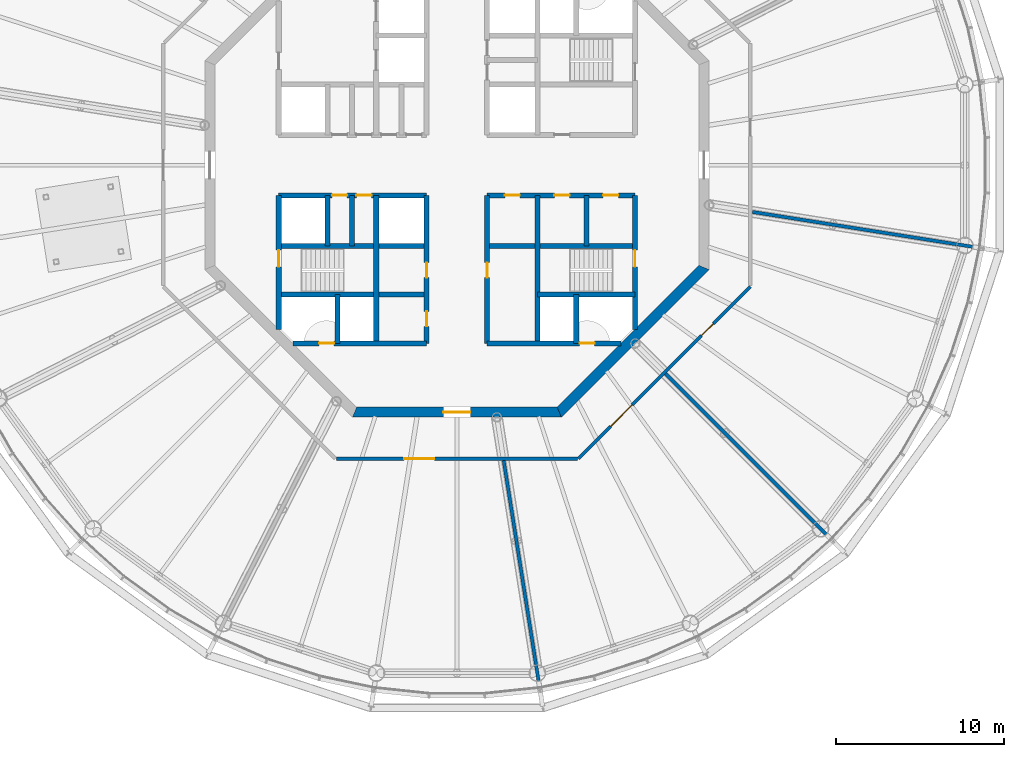
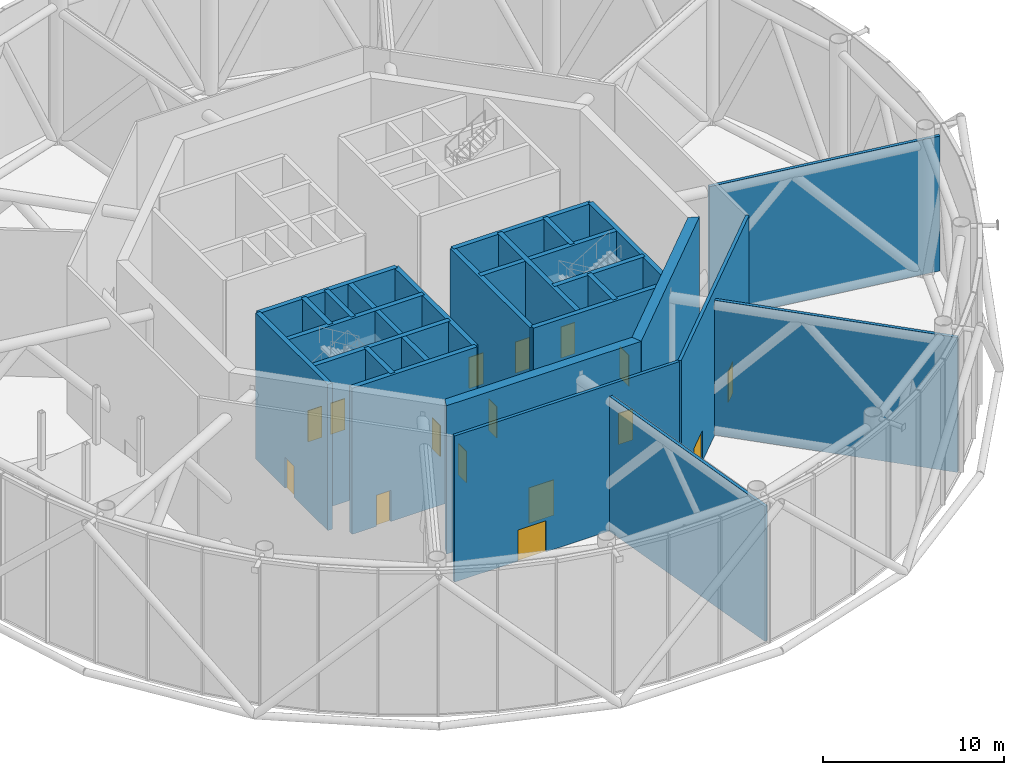
# One storey, part 6 of 23: 26 walls, 16 doors, 16 openings.
"""IFC4 building model written with IfcOpenShell, lengths in metres."""

from ifc_helpers import new_model, si_unit, direction, frame, frame_2d, origin, place, context, subcontext, project, spatial, polyline, rectangle, outline, extrude, material, layer, layer_set, type_object, element, fill, save


model = new_model("IFC4")

# Units and contexts
model_context = context("Model", 3, precision=1e-05, world=origin(), true_north=direction((0.0, 1.0)))
body_context = subcontext(model_context, "Body", "Model", "MODEL_VIEW")
ifc_project = project(units=[si_unit("LENGTHUNIT", "METRE"), si_unit("AREAUNIT", "SQUARE_METRE"), si_unit("VOLUMEUNIT", "CUBIC_METRE"), si_unit("PLANEANGLEUNIT", "RADIAN"), si_unit("MASSUNIT", "GRAM", prefix="KILO")], contexts=[model_context])

# Site, building, storey
site_placement = place(None, origin())
site = spatial("IfcSite", under=ifc_project, at=site_placement, CompositionType="ELEMENT")
building_placement = place(site_placement, origin())
building = spatial("IfcBuilding", under=site, at=building_placement, Name="Entoto Ring Tower", CompositionType="ELEMENT")
storey_placement = place(building_placement, frame((0.0, 0.0, 392.0)))
storey = spatial("IfcBuildingStorey", under=building, at=storey_placement, Name="L91", CompositionType="ELEMENT", Elevation=392.0)

# Wall, opening, door
ifc_material_1 = material(Name="Concrete C40/50", Category="concrete")
ifc_layer_1 = layer(ifc_material_1, 0.300048828125)
ifc_layer_set_1 = layer_set([ifc_layer_1], Name="Concrete C40/50")
wall_type_1 = type_object("IfcWallType", Name="Core enclosure wall 300 mm reinforced concrete", PredefinedType="SOLIDWALL", material=ifc_layer_set_1)
wall_1_placement = place(storey_placement, frame((100.60009765625, 70.2353515625, 0.0), z_axis=(0.0, 0.0, 1.0), x_axis=(0.0, 1.0, 0.0)))
wall_1 = element("IfcWall", 1, at=wall_1_placement, inside=storey, type_object=wall_type_1, Name="wall-L91-001", PredefinedType="SOLIDWALL", context=body_context, shape_type="SweptSolid", body=[
    extrude(rectangle(XDim=7.964599609375, YDim=0.300048828125, at=frame_2d((3.982421875, 0.0))), origin(), (0.0, 0.0, 1.0), 9.85009765625),
])
opening_1_placement = place(wall_1_placement, frame((3.714599609375, 0.0, 0.0)))
opening_1 = element("IfcOpeningElement", 2, at=opening_1_placement, cuts=wall_1, Name="Opening K-22", PredefinedType="OPENING", context=body_context, shape_type="SweptSolid", body=[
    extrude(rectangle(XDim=1.0, YDim=2.10009765625, at=frame_2d((0.5, 1.050048828125))), frame((0.0, 0.16015625, 0.0), z_axis=(0.0, -1.0, 0.0), x_axis=(1.0, 0.0, 0.0)), (0.0, 0.0, 1.0), 0.320068359375),
])
ifc_material_2 = material(Name="Steel door leaf, fire rated", Category="steel")
ifc_layer_2 = layer(ifc_material_2, 0.050048828125)
ifc_layer_set_2 = layer_set([ifc_layer_2], Name="Steel door leaf, fire rated")
door_type_1 = type_object("IfcDoorType", Name="Fire door FD60 1000 x 2100 single leaf", OperationType="NOTDEFINED", PredefinedType="DOOR", material=ifc_layer_set_2)
door_1_placement = place(opening_1_placement, origin())
door_1 = element("IfcDoor", 3, at=door_1_placement, inside=storey, type_object=door_type_1, Name="Door K-22", OperationType="SINGLE_SWING_RIGHT", OverallHeight=2.10009765625, OverallWidth=1.0, PredefinedType="DOOR", context=body_context, shape_type="SweptSolid", body=[
    extrude(rectangle(XDim=1.0, YDim=2.10009765625, at=frame_2d((0.5, 1.050048828125))), frame((0.0, 0.02490234375, 0.0), z_axis=(0.0, -1.0, 0.0), x_axis=(1.0, 0.0, 0.0)), (0.0, 0.0, 1.0), 0.050048828125),
])
fill(opening_1, door_1)

# Walls
wall_2_placement = place(storey_placement, frame((97.699951171875, 75.199951171875, 0.0), z_axis=(0.0, 0.0, 1.0), x_axis=(0.0, 1.0, 0.0)))
element("IfcWall", 4, at=wall_2_placement, inside=storey, type_object=wall_type_1, Name="wall-L91-003", PredefinedType="SOLIDWALL", context=body_context, shape_type="SweptSolid", body=[
    extrude(rectangle(XDim=3.0, YDim=0.300048828125, at=frame_2d((1.5, 0.0))), origin(), (0.0, 0.0, 1.0), 9.85009765625),
])
wall_3_placement = place(storey_placement, frame((97.10009765625, 69.39990234375, 0.0), z_axis=(0.0, 0.0, 1.0), x_axis=(0.0, 1.0, 0.0)))
element("IfcWall", 5, at=wall_3_placement, inside=storey, type_object=wall_type_1, Name="wall-L91-004", PredefinedType="SOLIDWALL", context=body_context, shape_type="SweptSolid", body=[
    extrude(rectangle(XDim=2.900146484375, YDim=0.300048828125, at=frame_2d((1.4501953125, 0.0))), origin(), (0.0, 0.0, 1.0), 9.85009765625),
])
wall_4_placement = place(storey_placement, frame((94.800048828125, 69.39990234375, 0.0), z_axis=(0.0, 0.0, 1.0), x_axis=(0.0, 1.0, 0.0)))
element("IfcWall", 6, at=wall_4_placement, inside=storey, type_object=wall_type_1, Name="wall-L91-006", PredefinedType="SOLIDWALL", context=body_context, shape_type="SweptSolid", body=[
    extrude(rectangle(XDim=8.800048828125, YDim=0.300048828125, at=frame_2d((4.39990234375, 0.0))), origin(), (0.0, 0.0, 1.0), 9.85009765625),
])

# Wall, opening, door
wall_5_placement = place(storey_placement, frame((91.800048828125, 69.39990234375, 0.0), z_axis=(0.0, 0.0, 1.0), x_axis=(0.0, 1.0, 0.0)))
wall_5 = element("IfcWall", 7, at=wall_5_placement, inside=storey, type_object=wall_type_1, Name="wall-L91-008", PredefinedType="SOLIDWALL", context=body_context, shape_type="SweptSolid", body=[
    extrude(rectangle(XDim=8.800048828125, YDim=0.300048828125, at=frame_2d((4.39990234375, 0.0))), origin(), (0.0, 0.0, 1.0), 9.85009765625),
])
opening_2_placement = place(wall_5_placement, frame((3.89990234375, 0.0, 0.0)))
opening_2 = element("IfcOpeningElement", 8, at=opening_2_placement, cuts=wall_5, Name="Opening K-14", PredefinedType="OPENING", context=body_context, shape_type="SweptSolid", body=[
    extrude(rectangle(XDim=0.89990234375, YDim=2.10009765625, at=frame_2d((0.449951171875, 1.050048828125))), frame((0.0, 0.16015625, 0.0), z_axis=(0.0, -1.0, 0.0), x_axis=(1.0, 0.0, 0.0)), (0.0, 0.0, 1.0), 0.320068359375),
])
ifc_material_3 = material(Name="Steel door leaf, fire rated", Category="steel")
ifc_layer_3 = layer(ifc_material_3, 0.050048828125)
ifc_layer_set_3 = layer_set([ifc_layer_3], Name="Steel door leaf, fire rated")
door_type_2 = type_object("IfcDoorType", Name="Core door 900 x 2100 single leaf", OperationType="NOTDEFINED", PredefinedType="DOOR", material=ifc_layer_set_3)
door_2_placement = place(opening_2_placement, frame((0.89990234375, 0.0, 0.0), z_axis=(0.0, 0.0, 1.0), x_axis=(-1.0, 0.0, 0.0)))
door_2 = element("IfcDoor", 9, at=door_2_placement, inside=storey, type_object=door_type_2, Name="Door K-14", OperationType="SINGLE_SWING_LEFT", OverallHeight=2.10009765625, OverallWidth=0.89990234375, PredefinedType="DOOR", context=body_context, shape_type="SweptSolid", body=[
    extrude(rectangle(XDim=0.89990234375, YDim=2.10009765625, at=frame_2d((0.449951171875, 1.050048828125))), frame((0.0, 0.02490234375, 0.0), z_axis=(0.0, -1.0, 0.0), x_axis=(1.0, 0.0, 0.0)), (0.0, 0.0, 1.0), 0.050048828125),
])
fill(opening_2, door_2)

# Wall, openings, doors
wall_6_placement = place(storey_placement, frame((88.199951171875, 69.39990234375, 0.0), z_axis=(0.0, 0.0, 1.0), x_axis=(0.0, 1.0, 0.0)))
wall_6 = element("IfcWall", 10, at=wall_6_placement, inside=storey, type_object=wall_type_1, Name="wall-L91-010", PredefinedType="SOLIDWALL", context=body_context, shape_type="SweptSolid", body=[
    extrude(rectangle(XDim=8.800048828125, YDim=0.300048828125, at=frame_2d((4.39990234375, 0.0))), origin(), (0.0, 0.0, 1.0), 9.85009765625),
])
opening_3_placement = place(wall_6_placement, frame((3.89990234375, 0.0, 0.0)))
opening_3 = element("IfcOpeningElement", 11, at=opening_3_placement, cuts=wall_6, Name="Opening K-15", PredefinedType="OPENING", context=body_context, shape_type="SweptSolid", body=[
    extrude(rectangle(XDim=0.89990234375, YDim=2.10009765625, at=frame_2d((0.449951171875, 1.050048828125))), frame((0.0, 0.16015625, 0.0), z_axis=(0.0, -1.0, 0.0), x_axis=(1.0, 0.0, 0.0)), (0.0, 0.0, 1.0), 0.320068359375),
])
opening_4_placement = place(wall_6_placement, frame((1.0, 0.0, 0.0)))
opening_4 = element("IfcOpeningElement", 12, at=opening_4_placement, cuts=wall_6, Name="Opening K-16", PredefinedType="OPENING", context=body_context, shape_type="SweptSolid", body=[
    extrude(rectangle(XDim=0.89990234375, YDim=2.10009765625, at=frame_2d((0.449951171875, 1.050048828125))), frame((0.0, 0.16015625, 0.0), z_axis=(0.0, -1.0, 0.0), x_axis=(1.0, 0.0, 0.0)), (0.0, 0.0, 1.0), 0.320068359375),
])
door_3_placement = place(opening_3_placement, origin())
door_3 = element("IfcDoor", 13, at=door_3_placement, inside=storey, type_object=door_type_2, Name="Door K-15", OperationType="SINGLE_SWING_RIGHT", OverallHeight=2.10009765625, OverallWidth=0.89990234375, PredefinedType="DOOR", context=body_context, shape_type="SweptSolid", body=[
    extrude(rectangle(XDim=0.89990234375, YDim=2.10009765625, at=frame_2d((0.449951171875, 1.050048828125))), frame((0.0, 0.02490234375, 0.0), z_axis=(0.0, -1.0, 0.0), x_axis=(1.0, 0.0, 0.0)), (0.0, 0.0, 1.0), 0.050048828125),
])
fill(opening_3, door_3)
door_4_placement = place(opening_4_placement, origin())
door_4 = element("IfcDoor", 14, at=door_4_placement, inside=storey, type_object=door_type_2, Name="Door K-16", OperationType="SINGLE_SWING_RIGHT", OverallHeight=2.10009765625, OverallWidth=0.89990234375, PredefinedType="DOOR", context=body_context, shape_type="SweptSolid", body=[
    extrude(rectangle(XDim=0.89990234375, YDim=2.10009765625, at=frame_2d((0.449951171875, 1.050048828125))), frame((0.0, 0.02490234375, 0.0), z_axis=(0.0, -1.0, 0.0), x_axis=(1.0, 0.0, 0.0)), (0.0, 0.0, 1.0), 0.050048828125),
])
fill(opening_4, door_4)

# Walls
wall_7_placement = place(storey_placement, frame((85.199951171875, 69.39990234375, 0.0), z_axis=(0.0, 0.0, 1.0), x_axis=(0.0, 1.0, 0.0)))
element("IfcWall", 15, at=wall_7_placement, inside=storey, type_object=wall_type_1, Name="wall-L91-013", PredefinedType="SOLIDWALL", context=body_context, shape_type="SweptSolid", body=[
    extrude(rectangle(XDim=8.800048828125, YDim=0.300048828125, at=frame_2d((4.39990234375, 0.0))), origin(), (0.0, 0.0, 1.0), 9.85009765625),
])
wall_8_placement = place(storey_placement, frame((83.75, 75.199951171875, 0.0), z_axis=(0.0, 0.0, 1.0), x_axis=(0.0, 1.0, 0.0)))
element("IfcWall", 16, at=wall_8_placement, inside=storey, type_object=wall_type_1, Name="wall-L91-015", PredefinedType="SOLIDWALL", context=body_context, shape_type="SweptSolid", body=[
    extrude(rectangle(XDim=3.0, YDim=0.300048828125, at=frame_2d((1.5, 0.0))), origin(), (0.0, 0.0, 1.0), 9.85009765625),
])
wall_9_placement = place(storey_placement, frame((82.89990234375, 69.39990234375, 0.0), z_axis=(0.0, 0.0, 1.0), x_axis=(0.0, 1.0, 0.0)))
element("IfcWall", 17, at=wall_9_placement, inside=storey, type_object=wall_type_1, Name="wall-L91-017", PredefinedType="SOLIDWALL", context=body_context, shape_type="SweptSolid", body=[
    extrude(rectangle(XDim=2.900146484375, YDim=0.300048828125, at=frame_2d((1.4501953125, 0.0))), origin(), (0.0, 0.0, 1.0), 9.85009765625),
])
wall_10_placement = place(storey_placement, frame((82.300048828125, 75.199951171875, 0.0), z_axis=(0.0, 0.0, 1.0), x_axis=(0.0, 1.0, 0.0)))
element("IfcWall", 18, at=wall_10_placement, inside=storey, type_object=wall_type_1, Name="wall-L91-018", PredefinedType="SOLIDWALL", context=body_context, shape_type="SweptSolid", body=[
    extrude(rectangle(XDim=3.0, YDim=0.300048828125, at=frame_2d((1.5, 0.0))), origin(), (0.0, 0.0, 1.0), 9.85009765625),
])

# Wall, opening, door
wall_11_placement = place(storey_placement, frame((79.39990234375, 70.2353515625, 0.0), z_axis=(0.0, 0.0, 1.0), x_axis=(0.0, 1.0, 0.0)))
wall_11 = element("IfcWall", 19, at=wall_11_placement, inside=storey, type_object=wall_type_1, Name="wall-L91-020", PredefinedType="SOLIDWALL", context=body_context, shape_type="SweptSolid", body=[
    extrude(rectangle(XDim=7.964599609375, YDim=0.300048828125, at=frame_2d((3.982421875, 0.0))), origin(), (0.0, 0.0, 1.0), 9.85009765625),
])
opening_5_placement = place(wall_11_placement, frame((3.714599609375, 0.0, 0.0)))
opening_5 = element("IfcOpeningElement", 20, at=opening_5_placement, cuts=wall_11, Name="Opening K-67", PredefinedType="OPENING", context=body_context, shape_type="SweptSolid", body=[
    extrude(rectangle(XDim=1.0, YDim=2.10009765625, at=frame_2d((0.5, 1.050048828125))), frame((0.0, 0.16015625, 0.0), z_axis=(0.0, -1.0, 0.0), x_axis=(1.0, 0.0, 0.0)), (0.0, 0.0, 1.0), 0.320068359375),
])
door_5_placement = place(opening_5_placement, frame((1.0, 0.0, 0.0), z_axis=(0.0, 0.0, 1.0), x_axis=(-1.0, 0.0, 0.0)))
door_5 = element("IfcDoor", 21, at=door_5_placement, inside=storey, type_object=door_type_1, Name="Door K-67", OperationType="SINGLE_SWING_LEFT", OverallHeight=2.10009765625, OverallWidth=1.0, PredefinedType="DOOR", context=body_context, shape_type="SweptSolid", body=[
    extrude(rectangle(XDim=1.0, YDim=2.10009765625, at=frame_2d((0.5, 1.050048828125))), frame((0.0, 0.02490234375, 0.0), z_axis=(0.0, -1.0, 0.0), x_axis=(1.0, 0.0, 0.0)), (0.0, 0.0, 1.0), 0.050048828125),
])
fill(opening_5, door_5)

wall_12_placement = place(storey_placement, frame((80.2353515625, 69.39990234375, 0.0), z_axis=(0.0, 0.0, 1.0), x_axis=(1.0, 0.0, 0.0)))
wall_12 = element("IfcWall", 22, at=wall_12_placement, inside=storey, type_object=wall_type_1, Name="wall-L91-022", PredefinedType="SOLIDWALL", context=body_context, shape_type="SweptSolid", body=[
    extrude(rectangle(XDim=7.964599609375, YDim=0.300048828125, at=frame_2d((3.982421875, 0.0))), origin(), (0.0, 0.0, 1.0), 9.85009765625),
])
opening_6_placement = place(wall_12_placement, frame((1.564697265625, 0.0, 0.0)))
opening_6 = element("IfcOpeningElement", 23, at=opening_6_placement, cuts=wall_12, Name="Opening K-74", PredefinedType="OPENING", context=body_context, shape_type="SweptSolid", body=[
    extrude(rectangle(XDim=0.89990234375, YDim=2.10009765625, at=frame_2d((0.449951171875, 1.050048828125))), frame((0.0, 0.16015625, 0.0), z_axis=(0.0, -1.0, 0.0), x_axis=(1.0, 0.0, 0.0)), (0.0, 0.0, 1.0), 0.320068359375),
])
ifc_material_4 = material(Name="Steel door leaf, fire rated", Category="steel")
ifc_layer_4 = layer(ifc_material_4, 0.050048828125)
ifc_layer_set_4 = layer_set([ifc_layer_4], Name="Steel door leaf, fire rated")
door_type_3 = type_object("IfcDoorType", Name="Riser door FD60 900 x 2100 single leaf", OperationType="NOTDEFINED", PredefinedType="DOOR", material=ifc_layer_set_4)
door_6_placement = place(opening_6_placement, origin())
door_6 = element("IfcDoor", 24, at=door_6_placement, inside=storey, type_object=door_type_3, Name="Door K-74", OperationType="SINGLE_SWING_RIGHT", OverallHeight=2.10009765625, OverallWidth=0.89990234375, PredefinedType="DOOR", context=body_context, shape_type="SweptSolid", body=[
    extrude(rectangle(XDim=0.89990234375, YDim=2.10009765625, at=frame_2d((0.449951171875, 1.050048828125))), frame((0.0, 0.02490234375, 0.0), z_axis=(0.0, -1.0, 0.0), x_axis=(1.0, 0.0, 0.0)), (0.0, 0.0, 1.0), 0.050048828125),
])
fill(opening_6, door_6)

wall_13_placement = place(storey_placement, frame((91.800048828125, 69.39990234375, 0.0), z_axis=(0.0, 0.0, 1.0), x_axis=(1.0, 0.0, 0.0)))
wall_13 = element("IfcWall", 25, at=wall_13_placement, inside=storey, type_object=wall_type_1, Name="wall-L91-023", PredefinedType="SOLIDWALL", context=body_context, shape_type="SweptSolid", body=[
    extrude(rectangle(XDim=7.964599609375, YDim=0.300048828125, at=frame_2d((3.982421875, 0.0))), origin(), (0.0, 0.0, 1.0), 9.85009765625),
])
opening_7_placement = place(wall_13_placement, frame((5.5, 0.0, 0.0)))
opening_7 = element("IfcOpeningElement", 26, at=opening_7_placement, cuts=wall_13, Name="Opening K-75", PredefinedType="OPENING", context=body_context, shape_type="SweptSolid", body=[
    extrude(rectangle(XDim=0.89990234375, YDim=2.10009765625, at=frame_2d((0.449951171875, 1.050048828125))), frame((0.0, 0.16015625, 0.0), z_axis=(0.0, -1.0, 0.0), x_axis=(1.0, 0.0, 0.0)), (0.0, 0.0, 1.0), 0.320068359375),
])
door_7_placement = place(opening_7_placement, origin())
door_7 = element("IfcDoor", 27, at=door_7_placement, inside=storey, type_object=door_type_3, Name="Door K-75", OperationType="SINGLE_SWING_LEFT", OverallHeight=2.10009765625, OverallWidth=0.89990234375, PredefinedType="DOOR", context=body_context, shape_type="SweptSolid", body=[
    extrude(rectangle(XDim=0.89990234375, YDim=2.10009765625, at=frame_2d((0.449951171875, 1.050048828125))), frame((0.0, 0.02490234375, 0.0), z_axis=(0.0, -1.0, 0.0), x_axis=(1.0, 0.0, 0.0)), (0.0, 0.0, 1.0), 0.050048828125),
])
fill(opening_7, door_7)

# Walls
wall_14_placement = place(storey_placement, frame((79.39990234375, 72.300048828125, 0.0), z_axis=(0.0, 0.0, 1.0), x_axis=(1.0, 0.0, 0.0)))
element("IfcWall", 28, at=wall_14_placement, inside=storey, type_object=wall_type_1, Name="wall-L91-024", PredefinedType="SOLIDWALL", context=body_context, shape_type="SweptSolid", body=[
    extrude(rectangle(XDim=8.800048828125, YDim=0.300048828125, at=frame_2d((4.39990234375, 0.0))), origin(), (0.0, 0.0, 1.0), 9.85009765625),
])
wall_15_placement = place(storey_placement, frame((94.800048828125, 72.300048828125, 0.0), z_axis=(0.0, 0.0, 1.0), x_axis=(1.0, 0.0, 0.0)))
element("IfcWall", 29, at=wall_15_placement, inside=storey, type_object=wall_type_1, Name="wall-L91-025", PredefinedType="SOLIDWALL", context=body_context, shape_type="SweptSolid", body=[
    extrude(rectangle(XDim=5.800048828125, YDim=0.300048828125, at=frame_2d((2.89990234375, 0.0))), origin(), (0.0, 0.0, 1.0), 9.85009765625),
])
for number, where, z_axis, x_axis, name in (
    (30, (79.39990234375, 75.199951171875, 0.0), (0.0, 0.0, 1.0), (1.0, 0.0, 0.0), "wall-L91-026"),
    (31, (91.800048828125, 75.199951171875, 0.0), (0.0, 0.0, 1.0), (1.0, 0.0, 0.0), "wall-L91-027"),
):
    element("IfcWall", number, at=place(storey_placement, frame(where, z_axis=z_axis, x_axis=x_axis)), inside=storey, type_object=wall_type_1, Name=name, PredefinedType="SOLIDWALL", context=body_context, shape_type="SweptSolid", body=[
        extrude(rectangle(XDim=8.800048828125, YDim=0.300048828125, at=frame_2d((4.39990234375, 0.0))), origin(), (0.0, 0.0, 1.0), 9.85009765625),
    ])

# Wall, openings, doors
wall_16_placement = place(storey_placement, frame((79.39990234375, 78.199951171875, 0.0), z_axis=(0.0, 0.0, 1.0), x_axis=(1.0, 0.0, 0.0)))
wall_16 = element("IfcWall", 32, at=wall_16_placement, inside=storey, type_object=wall_type_1, Name="wall-L91-028", PredefinedType="SOLIDWALL", context=body_context, shape_type="SweptSolid", body=[
    extrude(rectangle(XDim=8.800048828125, YDim=0.300048828125, at=frame_2d((4.39990234375, 0.0))), origin(), (0.0, 0.0, 1.0), 9.85009765625),
])
opening_8_placement = place(wall_16_placement, frame((3.175048828125, 0.0, 0.0)))
opening_8 = element("IfcOpeningElement", 33, at=opening_8_placement, cuts=wall_16, Name="Opening K-10", PredefinedType="OPENING", context=body_context, shape_type="SweptSolid", body=[
    extrude(rectangle(XDim=0.89990234375, YDim=2.10009765625, at=frame_2d((0.449951171875, 1.050048828125))), frame((0.0, 0.16015625, 0.0), z_axis=(0.0, -1.0, 0.0), x_axis=(1.0, 0.0, 0.0)), (0.0, 0.0, 1.0), 0.320068359375),
])
opening_9_placement = place(wall_16_placement, frame((4.625, 0.0, 0.0)))
opening_9 = element("IfcOpeningElement", 34, at=opening_9_placement, cuts=wall_16, Name="Opening K-11", PredefinedType="OPENING", context=body_context, shape_type="SweptSolid", body=[
    extrude(rectangle(XDim=0.89990234375, YDim=2.10009765625, at=frame_2d((0.449951171875, 1.050048828125))), frame((0.0, 0.16015625, 0.0), z_axis=(0.0, -1.0, 0.0), x_axis=(1.0, 0.0, 0.0)), (0.0, 0.0, 1.0), 0.320068359375),
])
door_8_placement = place(opening_8_placement, frame((0.89990234375, 0.0, 0.0), z_axis=(0.0, 0.0, 1.0), x_axis=(-1.0, 0.0, 0.0)))
door_8 = element("IfcDoor", 35, at=door_8_placement, inside=storey, type_object=door_type_2, Name="Door K-10", OperationType="SINGLE_SWING_LEFT", OverallHeight=2.10009765625, OverallWidth=0.89990234375, PredefinedType="DOOR", context=body_context, shape_type="SweptSolid", body=[
    extrude(rectangle(XDim=0.89990234375, YDim=2.10009765625, at=frame_2d((0.449951171875, 1.050048828125))), frame((0.0, 0.02490234375, 0.0), z_axis=(0.0, -1.0, 0.0), x_axis=(1.0, 0.0, 0.0)), (0.0, 0.0, 1.0), 0.050048828125),
])
fill(opening_8, door_8)
door_9_placement = place(opening_9_placement, frame((0.89990234375, 0.0, 0.0), z_axis=(0.0, 0.0, 1.0), x_axis=(-1.0, 0.0, 0.0)))
door_9 = element("IfcDoor", 36, at=door_9_placement, inside=storey, type_object=door_type_2, Name="Door K-11", OperationType="SINGLE_SWING_LEFT", OverallHeight=2.10009765625, OverallWidth=0.89990234375, PredefinedType="DOOR", context=body_context, shape_type="SweptSolid", body=[
    extrude(rectangle(XDim=0.89990234375, YDim=2.10009765625, at=frame_2d((0.449951171875, 1.050048828125))), frame((0.0, 0.02490234375, 0.0), z_axis=(0.0, -1.0, 0.0), x_axis=(1.0, 0.0, 0.0)), (0.0, 0.0, 1.0), 0.050048828125),
])
fill(opening_9, door_9)

wall_17_placement = place(storey_placement, frame((91.800048828125, 78.199951171875, 0.0), z_axis=(0.0, 0.0, 1.0), x_axis=(1.0, 0.0, 0.0)))
wall_17 = element("IfcWall", 37, at=wall_17_placement, inside=storey, type_object=wall_type_1, Name="wall-L91-029", PredefinedType="SOLIDWALL", context=body_context, shape_type="SweptSolid", body=[
    extrude(rectangle(XDim=8.800048828125, YDim=0.300048828125, at=frame_2d((4.39990234375, 0.0))), origin(), (0.0, 0.0, 1.0), 9.85009765625),
])
opening_10_placement = place(wall_17_placement, frame((4.0, 0.0, 0.0)))
opening_10 = element("IfcOpeningElement", 38, at=opening_10_placement, cuts=wall_17, Name="Opening K-08", PredefinedType="OPENING", context=body_context, shape_type="SweptSolid", body=[
    extrude(rectangle(XDim=0.89990234375, YDim=2.10009765625, at=frame_2d((0.449951171875, 1.050048828125))), frame((0.0, 0.16015625, 0.0), z_axis=(0.0, -1.0, 0.0), x_axis=(1.0, 0.0, 0.0)), (0.0, 0.0, 1.0), 0.320068359375),
])
opening_11_placement = place(wall_17_placement, frame((6.89990234375, 0.0, 0.0)))
opening_11 = element("IfcOpeningElement", 39, at=opening_11_placement, cuts=wall_17, Name="Opening K-09", PredefinedType="OPENING", context=body_context, shape_type="SweptSolid", body=[
    extrude(rectangle(XDim=0.89990234375, YDim=2.10009765625, at=frame_2d((0.449951171875, 1.050048828125))), frame((0.0, 0.16015625, 0.0), z_axis=(0.0, -1.0, 0.0), x_axis=(1.0, 0.0, 0.0)), (0.0, 0.0, 1.0), 0.320068359375),
])
opening_12_placement = place(wall_17_placement, frame((1.050048828125, 0.0, 0.0)))
opening_12 = element("IfcOpeningElement", 40, at=opening_12_placement, cuts=wall_17, Name="Opening K-19", PredefinedType="OPENING", context=body_context, shape_type="SweptSolid", body=[
    extrude(rectangle(XDim=0.89990234375, YDim=2.10009765625, at=frame_2d((0.449951171875, 1.050048828125))), frame((0.0, 0.16015625, 0.0), z_axis=(0.0, -1.0, 0.0), x_axis=(1.0, 0.0, 0.0)), (0.0, 0.0, 1.0), 0.320068359375),
])
door_10_placement = place(opening_10_placement, frame((0.89990234375, 0.0, 0.0), z_axis=(0.0, 0.0, 1.0), x_axis=(-1.0, 0.0, 0.0)))
door_10 = element("IfcDoor", 41, at=door_10_placement, inside=storey, type_object=door_type_2, Name="Door K-08", OperationType="SINGLE_SWING_RIGHT", OverallHeight=2.10009765625, OverallWidth=0.89990234375, PredefinedType="DOOR", context=body_context, shape_type="SweptSolid", body=[
    extrude(rectangle(XDim=0.89990234375, YDim=2.10009765625, at=frame_2d((0.449951171875, 1.050048828125))), frame((0.0, 0.02490234375, 0.0), z_axis=(0.0, -1.0, 0.0), x_axis=(1.0, 0.0, 0.0)), (0.0, 0.0, 1.0), 0.050048828125),
])
fill(opening_10, door_10)
door_11_placement = place(opening_11_placement, frame((0.89990234375, 0.0, 0.0), z_axis=(0.0, 0.0, 1.0), x_axis=(-1.0, 0.0, 0.0)))
door_11 = element("IfcDoor", 42, at=door_11_placement, inside=storey, type_object=door_type_2, Name="Door K-09", OperationType="SINGLE_SWING_LEFT", OverallHeight=2.10009765625, OverallWidth=0.89990234375, PredefinedType="DOOR", context=body_context, shape_type="SweptSolid", body=[
    extrude(rectangle(XDim=0.89990234375, YDim=2.10009765625, at=frame_2d((0.449951171875, 1.050048828125))), frame((0.0, 0.02490234375, 0.0), z_axis=(0.0, -1.0, 0.0), x_axis=(1.0, 0.0, 0.0)), (0.0, 0.0, 1.0), 0.050048828125),
])
fill(opening_11, door_11)
door_12_placement = place(opening_12_placement, frame((0.89990234375, 0.0, 0.0), z_axis=(0.0, 0.0, 1.0), x_axis=(-1.0, 0.0, 0.0)))
door_12 = element("IfcDoor", 43, at=door_12_placement, inside=storey, type_object=door_type_2, Name="Door K-19", OperationType="SINGLE_SWING_RIGHT", OverallHeight=2.10009765625, OverallWidth=0.89990234375, PredefinedType="DOOR", context=body_context, shape_type="SweptSolid", body=[
    extrude(rectangle(XDim=0.89990234375, YDim=2.10009765625, at=frame_2d((0.449951171875, 1.050048828125))), frame((0.0, 0.02490234375, 0.0), z_axis=(0.0, -1.0, 0.0), x_axis=(1.0, 0.0, 0.0)), (0.0, 0.0, 1.0), 0.050048828125),
])
fill(opening_12, door_12)

# Wall, opening, door
ifc_material_5 = material(Name="Concrete C40/50", Category="concrete")
ifc_layer_5 = layer(ifc_material_5, 0.60009765625)
ifc_layer_set_5 = layer_set([ifc_layer_5], Name="Concrete C40/50")
wall_type_2 = type_object("IfcWallType", Name="Core shear wall 600 mm reinforced concrete C40/50", PredefinedType="SHEAR", material=ifc_layer_set_5)
wall_18_placement = place(storey_placement, frame((83.9111328125, 65.300048828125, 0.0), z_axis=(0.0, 0.0, 1.0), x_axis=(1.0, 0.0, 0.0)))
wall_18 = element("IfcWall", 44, at=wall_18_placement, inside=storey, type_object=wall_type_2, Name="wall-L91-core-6", PredefinedType="SHEAR", context=body_context, shape_type="SweptSolid", body=[
    extrude(outline(polyline([(-0.124267578125, -0.300048828125), (12.302001953125, -0.300048828125), (12.053466796875, 0.300048828125), (0.124267578125, 0.300048828125), (-0.124267578125, -0.300048828125)])), origin(), (0.0, 0.0, 1.0), 10.0),
])
opening_13_placement = place(wall_18_placement, frame((5.288818359375, 0.0, 0.0)))
opening_13 = element("IfcOpeningElement", 45, at=opening_13_placement, cuts=wall_18, Name="Opening K-04", PredefinedType="OPENING", context=body_context, shape_type="SweptSolid", body=[
    extrude(rectangle(XDim=1.60009765625, YDim=2.39990234375, at=frame_2d((0.800048828125, 1.199951171875))), frame((0.0, 0.31005859375, 0.0), z_axis=(0.0, -1.0, 0.0), x_axis=(1.0, 0.0, 0.0)), (0.0, 0.0, 1.0), 0.6201171875),
])
ifc_material_6 = material(Name="Steel door leaf, fire rated", Category="steel")
ifc_layer_6 = layer(ifc_material_6, 0.050048828125)
ifc_layer_set_6 = layer_set([ifc_layer_6], Name="Steel door leaf, fire rated")
door_type_4 = type_object("IfcDoorType", Name="Entrance door FD60 1600 x 2400 double leaf", OperationType="DOUBLE_DOOR_SINGLE_SWING", PredefinedType="DOOR", material=ifc_layer_set_6)
door_13_placement = place(opening_13_placement, origin())
door_13 = element("IfcDoor", 46, at=door_13_placement, inside=storey, type_object=door_type_4, Name="Entrance door K-04", OperationType="DOUBLE_DOOR_SINGLE_SWING", OverallHeight=2.39990234375, OverallWidth=1.60009765625, PredefinedType="DOOR", context=body_context, shape_type="SweptSolid", body=[
    extrude(rectangle(XDim=1.60009765625, YDim=2.39990234375, at=frame_2d((0.800048828125, 1.199951171875))), frame((0.0, 0.02490234375, 0.0), z_axis=(0.0, -1.0, 0.0), x_axis=(1.0, 0.0, 0.0)), (0.0, 0.0, 1.0), 0.050048828125),
])
fill(opening_13, door_13)

# Wall
wall_19_placement = place(storey_placement, frame((96.0888671875, 65.300048828125, 0.0), z_axis=(0.0, 0.0, 1.0), x_axis=(0.707106781187, 0.707106781187, 0.0)))
element("IfcWall", 47, at=wall_19_placement, inside=storey, type_object=wall_type_2, Name="wall-L91-core-7", PredefinedType="SHEAR", context=body_context, shape_type="SweptSolid", body=[
    extrude(outline(polyline([(-0.124267578125, -0.300048828125), (12.30224609375, -0.300048828125), (12.0537109375, 0.300048828125), (0.124267578125, 0.300048828125), (-0.124267578125, -0.300048828125)])), origin(), (0.0, 0.0, 1.0), 10.0),
])

# Wall, openings, doors
ifc_material_7 = material(Name="Concrete C20/25", Category="concrete")
ifc_layer_7 = layer(ifc_material_7, 0.199951171875)
ifc_layer_set_7 = layer_set([ifc_layer_7], Name="Concrete C20/25")
wall_type_3 = type_object("IfcWallType", Name="Plant room wall 200 mm two-hour concrete", PredefinedType="PARTITIONING", material=ifc_layer_set_7)
wall_20_placement = place(storey_placement, frame((97.233154296875, 62.53759765625, 0.0), z_axis=(0.0, 0.0, 1.0), x_axis=(0.707106781187, 0.707106781187, 0.0)))
wall_20 = element("IfcWall", 48, at=wall_20_placement, inside=storey, type_object=wall_type_3, Name="partition-L91-006", PredefinedType="PARTITIONING", context=body_context, shape_type="SweptSolid", body=[
    extrude(rectangle(XDim=14.46630859375, YDim=0.199951171875, at=frame_2d((7.233154296875, 0.0))), origin(), (0.0, 0.0, 1.0), 9.85009765625),
])
opening_14_placement = place(wall_20_placement, frame((2.716796875, 0.0, 0.0)))
opening_14 = element("IfcOpeningElement", 49, at=opening_14_placement, cuts=wall_20, Name="Opening A39-D03", PredefinedType="OPENING", context=body_context, shape_type="SweptSolid", body=[
    extrude(rectangle(XDim=1.800048828125, YDim=2.10009765625, at=frame_2d((0.89990234375, 1.050048828125))), frame((0.0, 0.10986328125, 0.0), z_axis=(0.0, -1.0, 0.0), x_axis=(1.0, 0.0, 0.0)), (0.0, 0.0, 1.0), 0.219970703125),
])
opening_15_placement = place(wall_20_placement, frame((10.349853515625, 0.0, 0.0)))
opening_15 = element("IfcOpeningElement", 50, at=opening_15_placement, cuts=wall_20, Name="Opening A39-D04", PredefinedType="OPENING", context=body_context, shape_type="SweptSolid", body=[
    extrude(rectangle(XDim=1.0, YDim=2.10009765625, at=frame_2d((0.5, 1.050048828125))), frame((0.0, 0.10986328125, 0.0), z_axis=(0.0, -1.0, 0.0), x_axis=(1.0, 0.0, 0.0)), (0.0, 0.0, 1.0), 0.219970703125),
])
ifc_material_8 = material(Name="Fire-resisting steel door set", Category="steel")
door_type_5 = type_object("IfcDoorType", Name="Door 1000 x 2100 single leaf FD60 steel door", OperationType="NOTDEFINED", PredefinedType="DOOR", material=ifc_material_8)
door_14_placement = place(opening_15_placement, frame((1.0, 0.0, 0.0), z_axis=(0.0, 0.0, 1.0), x_axis=(-1.0, 0.0, 0.0)))
door_14 = element("IfcDoor", 51, at=door_14_placement, inside=storey, type_object=door_type_5, Name="Door A39-D04", OperationType="SINGLE_SWING_RIGHT", OverallHeight=2.10009765625, OverallWidth=1.0, PredefinedType="DOOR", context=body_context, shape_type="SweptSolid", body=[
    extrude(rectangle(XDim=1.0, YDim=2.10009765625, at=frame_2d((0.5, 1.050048828125))), frame((0.0, 0.02490234375, 0.0), z_axis=(0.0, -1.0, 0.0), x_axis=(1.0, 0.0, 0.0)), (0.0, 0.0, 1.0), 0.050048828125),
])
fill(opening_15, door_14)
ifc_material_9 = material(Name="Fire-resisting steel door set", Category="steel")
door_type_6 = type_object("IfcDoorType", Name="Door 1800 x 2100 double leaf FD60 steel door", OperationType="DOUBLE_DOOR_SINGLE_SWING", PredefinedType="DOOR", material=ifc_material_9)
door_15_placement = place(opening_14_placement, frame((1.800048828125, 0.0, 0.0), z_axis=(0.0, 0.0, 1.0), x_axis=(-1.0, 0.0, 0.0)))
door_15 = element("IfcDoor", 52, at=door_15_placement, inside=storey, type_object=door_type_6, Name="Door A39-D03", OperationType="DOUBLE_DOOR_SINGLE_SWING", OverallHeight=2.10009765625, OverallWidth=1.800048828125, PredefinedType="DOOR", context=body_context, shape_type="SweptSolid", body=[
    extrude(rectangle(XDim=1.800048828125, YDim=2.10009765625, at=frame_2d((0.89990234375, 1.050048828125))), frame((0.0, 0.02490234375, 0.0), z_axis=(0.0, -1.0, 0.0), x_axis=(1.0, 0.0, 0.0)), (0.0, 0.0, 1.0), 0.050048828125),
])
fill(opening_14, door_15)

# Wall, opening, door
wall_21_placement = place(storey_placement, frame((82.83740234375, 62.53759765625, 0.0), z_axis=(0.0, 0.0, 1.0), x_axis=(1.0, 0.0, 0.0)))
wall_21 = element("IfcWall", 53, at=wall_21_placement, inside=storey, type_object=wall_type_3, Name="partition-L91-008", PredefinedType="PARTITIONING", context=body_context, shape_type="SweptSolid", body=[
    extrude(rectangle(XDim=14.3251953125, YDim=0.199951171875, at=frame_2d((7.16259765625, 0.0))), origin(), (0.0, 0.0, 1.0), 9.85009765625),
])
opening_16_placement = place(wall_21_placement, frame((4.029052734375, 0.0, 0.0)))
opening_16 = element("IfcOpeningElement", 54, at=opening_16_placement, cuts=wall_21, Name="Opening A39-D02", PredefinedType="OPENING", context=body_context, shape_type="SweptSolid", body=[
    extrude(rectangle(XDim=1.800048828125, YDim=2.10009765625, at=frame_2d((0.89990234375, 1.050048828125))), frame((0.0, 0.10986328125, 0.0), z_axis=(0.0, -1.0, 0.0), x_axis=(1.0, 0.0, 0.0)), (0.0, 0.0, 1.0), 0.219970703125),
])
door_16_placement = place(opening_16_placement, frame((1.800048828125, 0.0, 0.0), z_axis=(0.0, 0.0, 1.0), x_axis=(-1.0, 0.0, 0.0)))
door_16 = element("IfcDoor", 55, at=door_16_placement, inside=storey, type_object=door_type_6, Name="Door A39-D02", OperationType="DOUBLE_DOOR_SINGLE_SWING", OverallHeight=2.10009765625, OverallWidth=1.800048828125, PredefinedType="DOOR", context=body_context, shape_type="SweptSolid", body=[
    extrude(rectangle(XDim=1.800048828125, YDim=2.10009765625, at=frame_2d((0.89990234375, 1.050048828125))), frame((0.0, 0.02490234375, 0.0), z_axis=(0.0, -1.0, 0.0), x_axis=(1.0, 0.0, 0.0)), (0.0, 0.0, 1.0), 0.050048828125),
])
fill(opening_16, door_16)

# Walls
ifc_material_10 = material(Name="Concrete C20/25", Category="concrete")
ifc_layer_8 = layer(ifc_material_10, 0.199951171875)
ifc_layer_set_8 = layer_set([ifc_layer_8], Name="Concrete C20/25")
wall_type_4 = type_object("IfcWallType", Name="Plant room wall 200 mm two-hour concrete, 9097 mm high", PredefinedType="PARTITIONING", material=ifc_layer_set_8)
wall_22_placement = place(storey_placement, frame((112.2314453125, 57.7685546875, 0.0), z_axis=(0.0, 0.0, 1.0), x_axis=(-0.707106781187, 0.707106781187, 0.0)))
element("IfcWall", 56, at=wall_22_placement, inside=storey, type_object=wall_type_4, Name="partition-L91-010", PredefinedType="PARTITIONING", context=body_context, shape_type="SweptSolid", body=[
    extrude(rectangle(XDim=13.877197265625, YDim=0.199951171875, at=frame_2d((6.9384765625, 0.0))), origin(), (0.0, 0.0, 1.0), 9.096923828125),
])
for number, where, z_axis, x_axis, name in (
    (57, (94.918212890625, 48.947021484375, 0.0), (0.0, 0.0, 1.0), (-0.156422028201, 0.987690310317, 0.0), "partition-L91-011"),
    (58, (121.052978515625, 75.081787109375, 0.0), (0.0, 0.0, 1.0), (-0.987690310317, 0.156422028201, 0.0), "partition-L91-012"),
):
    element("IfcWall", number, at=place(storey_placement, frame(where, z_axis=z_axis, x_axis=x_axis)), inside=storey, type_object=wall_type_4, Name=name, PredefinedType="PARTITIONING", context=body_context, shape_type="SweptSolid", body=[
        extrude(rectangle(XDim=13.642822265625, YDim=0.199951171875, at=frame_2d((6.8212890625, 0.0))), origin(), (0.0, 0.0, 1.0), 9.096923828125),
    ])

save(model, "model.ifc")
